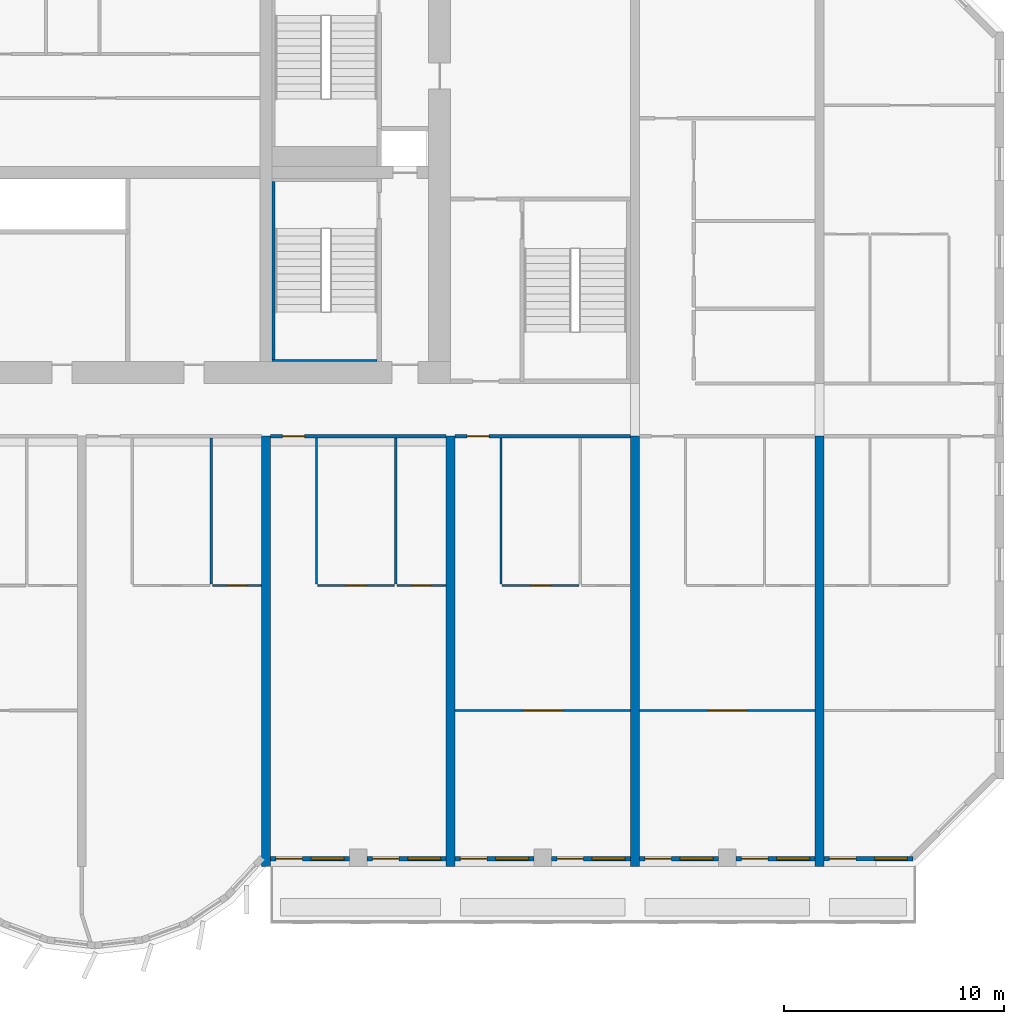
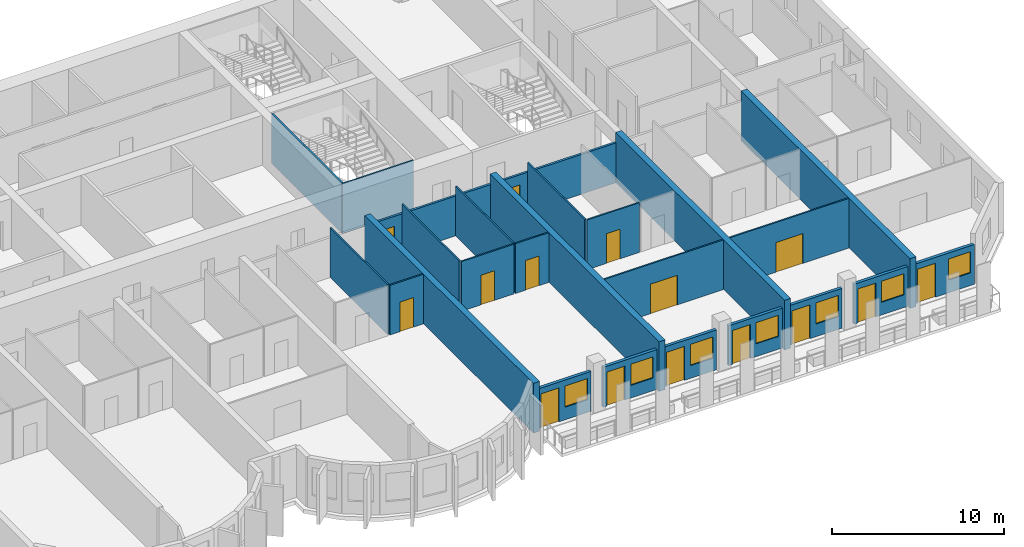
# One storey, part 8 of 15: 25 walls, 15 doors, 7 windows, 22 openings.
"""IFC4 building model written with IfcOpenShell, lengths in metres."""

from ifc_helpers import new_model, si_unit, direction, frame, frame_2d, origin, place, context, subcontext, project, spatial, rectangle, extrude, source, transform, mapped, material, layer, layer_set, type_object, element, fill, save


model = new_model("IFC4")

# Units and contexts
model_context = context("Model", 3, precision=1e-05, world=origin(), true_north=direction((0.0, 1.0)))
body_context = subcontext(model_context, "Body", "Model", "MODEL_VIEW")
ifc_project = project(units=[si_unit("LENGTHUNIT", "METRE"), si_unit("AREAUNIT", "SQUARE_METRE"), si_unit("VOLUMEUNIT", "CUBIC_METRE"), si_unit("PLANEANGLEUNIT", "RADIAN"), si_unit("MASSUNIT", "GRAM", prefix="KILO")], contexts=[model_context])

# Site, building, storey
site_placement = place(None, origin())
site = spatial("IfcSite", under=ifc_project, at=site_placement, CompositionType="ELEMENT")
building_placement = place(site_placement, origin())
building = spatial("IfcBuilding", under=site, at=building_placement, Name="Vanashikhar Sky Hotel", CompositionType="ELEMENT")
storey_placement = place(building_placement, frame((0.0, 0.0, 69.60009765625)))
storey = spatial("IfcBuildingStorey", under=building, at=storey_placement, Name="L16", CompositionType="ELEMENT", Elevation=69.60009765625)

# Walls
ifc_material_1 = material(Name="Concrete M80", Category="concrete")
ifc_layer_1 = layer(ifc_material_1, 0.39990234375)
ifc_layer_set_1 = layer_set([ifc_layer_1], Name="RC shear wall 400 Concrete M80")
wall_type_1 = type_object("IfcWallType", Name="RC shear wall 400 Concrete M80", PredefinedType="SHEAR", material=ifc_layer_set_1)
shared_shape_1 = source(origin(), body_context, "Body", "SweptSolid", [
    extrude(rectangle(XDim=19.60009765625, YDim=0.39990234375, at=frame_2d((9.800048828125, 0.0))), origin(), (0.0, 0.0, 1.0), 3.52001953125),
])
for number, where, z_axis, x_axis, name in (
    (1, (67.199951171875, 0.0, 0.0), (0.0, 0.0, 1.0), (0.0, 1.0, 0.0), "CW-L16-XW09-1"),
    (2, (75.60009765625, 0.0, 0.0), (0.0, 0.0, 1.0), (0.0, 1.0, 0.0), "CW-L16-XW10-1"),
    (3, (84.0, 0.0, 0.0), (0.0, 0.0, 1.0), (0.0, 1.0, 0.0), "CW-L16-XW11-1"),
    (4, (92.39990234375, 0.0, 0.0), (0.0, 0.0, 1.0), (0.0, 1.0, 0.0), "CW-L16-XW12-1"),
):
    element("IfcWall", number, at=place(storey_placement, frame(where, z_axis=z_axis, x_axis=x_axis)), inside=storey, type_object=wall_type_1, Name=name, PredefinedType="SHEAR", context=body_context, shape_type="MappedRepresentation", body=[
        mapped(shared_shape_1, transform((0.0, 0.0, 0.0), scale=1.0)),
    ])

# Wall, openings, window, door
ifc_material_2 = material(Name="Concrete M50", Category="concrete")
ifc_layer_2 = layer(ifc_material_2, 0.199951171875)
ifc_layer_set_2 = layer_set([ifc_layer_2], Name="Front window wall 200")
wall_type_2 = type_object("IfcWallType", Name="Front window wall 200", PredefinedType="SOLIDWALL", material=ifc_layer_set_2)
shared_shape_2 = source(origin(), body_context, "Body", "SweptSolid", [
    extrude(rectangle(XDim=4.054931640625, YDim=0.199951171875, at=frame_2d((2.02734375, 0.0))), origin(), (0.0, 0.0, 1.0), 2.81982421875),
])
wall_1_placement = place(storey_placement, frame((92.60009765625, 0.35009765625, 0.0), z_axis=(0.0, 0.0, 1.0), x_axis=(1.0, 0.0, 0.0)))
wall_1 = element("IfcWall", 5, at=wall_1_placement, inside=storey, type_object=wall_type_2, Name="Front window wall", PredefinedType="SOLIDWALL", context=body_context, shape_type="MappedRepresentation", body=[
    mapped(shared_shape_2, transform((0.0, 0.0, 0.0), scale=1.0)),
])
shared_shape_3 = source(origin(), body_context, "Body", "SweptSolid", [
    extrude(rectangle(XDim=1.199951171875, YDim=2.39990234375, at=frame_2d((0.60009765625, 1.199951171875))), frame((0.0, 0.10986328125, 0.0), z_axis=(0.0, -1.0, 0.0), x_axis=(1.0, 0.0, 0.0)), (0.0, 0.0, 1.0), 0.219970703125),
])
opening_1_placement = place(wall_1_placement, frame((0.25, 0.0, 0.0)))
opening_1 = element("IfcOpeningElement", 6, at=opening_1_placement, cuts=wall_1, Name="Opening BD-14", PredefinedType="OPENING", context=body_context, shape_type="MappedRepresentation", body=[
    mapped(shared_shape_3, transform((0.0, 0.0, 0.0), scale=1.0)),
])
shared_shape_4 = source(origin(), body_context, "Body", "SweptSolid", [
    extrude(rectangle(XDim=1.5, YDim=1.5, at=frame_2d((0.75, 0.75))), frame((0.0, 0.10986328125, 0.0), z_axis=(0.0, -1.0, 0.0), x_axis=(1.0, 0.0, 0.0)), (0.0, 0.0, 1.0), 0.219970703125),
])
opening_2_placement = place(wall_1_placement, frame((2.304931640625, 0.0, 0.89990234375)))
opening_2 = element("IfcOpeningElement", 7, at=opening_2_placement, cuts=wall_1, Name="Opening WN-1", PredefinedType="OPENING", context=body_context, shape_type="MappedRepresentation", body=[
    mapped(shared_shape_4, transform((0.0, 0.0, 0.0), scale=1.0)),
])
ifc_material_3 = material(Name="Glass", Category="glass")
window_type = type_object("IfcWindowType", Name="Window 1500 x 1500", PartitioningType="SINGLE_PANEL", PredefinedType="WINDOW", material=ifc_material_3)
shared_shape_5 = source(origin(), body_context, "Body", "SweptSolid", [
    extrude(rectangle(XDim=1.5, YDim=1.5, at=frame_2d((0.75, 0.75))), frame((0.0, 0.030029296875, 0.0), z_axis=(0.0, -1.0, 0.0), x_axis=(1.0, 0.0, 0.0)), (0.0, 0.0, 1.0), 0.06005859375),
])
window_1_placement = place(opening_2_placement, origin())
window_1 = element("IfcWindow", 8, at=window_1_placement, inside=storey, type_object=window_type, Name="Window WN-1", OverallHeight=1.5, OverallWidth=1.5, PartitioningType="SINGLE_PANEL", PredefinedType="WINDOW", context=body_context, shape_type="MappedRepresentation", body=[
    mapped(shared_shape_5, transform((0.0, 0.0, 0.0), scale=1.0)),
])
fill(opening_2, window_1)
ifc_material_4 = material(Name="Aluminium", Category="aluminium")
door_type_1 = type_object("IfcDoorType", Name="Balcony sliding door 1200 x 2400", OperationType="NOTDEFINED", PredefinedType="DOOR", material=ifc_material_4)
shared_shape_6 = source(origin(), body_context, "Body", "SweptSolid", [
    extrude(rectangle(XDim=1.199951171875, YDim=2.39990234375, at=frame_2d((0.60009765625, 1.199951171875))), frame((0.0, 0.02490234375, 0.0), z_axis=(0.0, -1.0, 0.0), x_axis=(1.0, 0.0, 0.0)), (0.0, 0.0, 1.0), 0.050048828125),
])
door_1_placement = place(opening_1_placement, origin())
door_1 = element("IfcDoor", 9, at=door_1_placement, inside=storey, type_object=door_type_1, Name="Balcony sliding door", OperationType="SLIDING_TO_RIGHT", OverallHeight=2.39990234375, OverallWidth=1.199951171875, PredefinedType="DOOR", context=body_context, shape_type="MappedRepresentation", body=[
    mapped(shared_shape_6, transform((0.0, 0.0, 0.0), scale=1.0)),
])
fill(opening_1, door_1)

shared_shape_7 = source(origin(), body_context, "Body", "SweptSolid", [
    extrude(rectangle(XDim=3.599853515625, YDim=0.199951171875, at=frame_2d((1.7998046875, 0.0))), origin(), (0.0, 0.0, 1.0), 2.81982421875),
])
wall_2_placement = place(storey_placement, frame((71.800048828125, 0.35009765625, 0.0), z_axis=(0.0, 0.0, 1.0), x_axis=(1.0, 0.0, 0.0)))
wall_2 = element("IfcWall", 10, at=wall_2_placement, inside=storey, type_object=wall_type_2, Name="Front window wall", PredefinedType="SOLIDWALL", context=body_context, shape_type="MappedRepresentation", body=[
    mapped(shared_shape_7, transform((0.0, 0.0, 0.0), scale=1.0)),
])
opening_3_placement = place(wall_2_placement, frame((0.25, 0.0, 0.0)))
opening_3 = element("IfcOpeningElement", 11, at=opening_3_placement, cuts=wall_2, Name="Opening BD-09", PredefinedType="OPENING", context=body_context, shape_type="MappedRepresentation", body=[
    mapped(shared_shape_3, transform((0.0, 0.0, 0.0), scale=1.0)),
])
opening_4_placement = place(wall_2_placement, frame((1.85009765625, 0.0, 0.89990234375)))
opening_4 = element("IfcOpeningElement", 12, at=opening_4_placement, cuts=wall_2, Name="Opening WN-1", PredefinedType="OPENING", context=body_context, shape_type="MappedRepresentation", body=[
    mapped(shared_shape_4, transform((0.0, 0.0, 0.0), scale=1.0)),
])
window_2_placement = place(opening_4_placement, origin())
window_2 = element("IfcWindow", 13, at=window_2_placement, inside=storey, type_object=window_type, Name="Window WN-1", OverallHeight=1.5, OverallWidth=1.5, PartitioningType="SINGLE_PANEL", PredefinedType="WINDOW", context=body_context, shape_type="MappedRepresentation", body=[
    mapped(shared_shape_5, transform((0.0, 0.0, 0.0), scale=1.0)),
])
fill(opening_4, window_2)
door_2_placement = place(opening_3_placement, origin())
door_2 = element("IfcDoor", 14, at=door_2_placement, inside=storey, type_object=door_type_1, Name="Balcony sliding door", OperationType="SLIDING_TO_LEFT", OverallHeight=2.39990234375, OverallWidth=1.199951171875, PredefinedType="DOOR", context=body_context, shape_type="MappedRepresentation", body=[
    mapped(shared_shape_6, transform((0.0, 0.0, 0.0), scale=1.0)),
])
fill(opening_3, door_2)

wall_3_placement = place(storey_placement, frame((75.800048828125, 0.35009765625, 0.0), z_axis=(0.0, 0.0, 1.0), x_axis=(1.0, 0.0, 0.0)))
wall_3 = element("IfcWall", 15, at=wall_3_placement, inside=storey, type_object=wall_type_2, Name="Front window wall", PredefinedType="SOLIDWALL", context=body_context, shape_type="MappedRepresentation", body=[
    mapped(shared_shape_7, transform((0.0, 0.0, 0.0), scale=1.0)),
])
opening_5_placement = place(wall_3_placement, frame((0.25, 0.0, 0.0)))
opening_5 = element("IfcOpeningElement", 16, at=opening_5_placement, cuts=wall_3, Name="Opening BD-10", PredefinedType="OPENING", context=body_context, shape_type="MappedRepresentation", body=[
    mapped(shared_shape_3, transform((0.0, 0.0, 0.0), scale=1.0)),
])
opening_6_placement = place(wall_3_placement, frame((1.85009765625, 0.0, 0.89990234375)))
opening_6 = element("IfcOpeningElement", 17, at=opening_6_placement, cuts=wall_3, Name="Opening WN-1", PredefinedType="OPENING", context=body_context, shape_type="MappedRepresentation", body=[
    mapped(shared_shape_4, transform((0.0, 0.0, 0.0), scale=1.0)),
])
window_3_placement = place(opening_6_placement, origin())
window_3 = element("IfcWindow", 18, at=window_3_placement, inside=storey, type_object=window_type, Name="Window WN-1", OverallHeight=1.5, OverallWidth=1.5, PartitioningType="SINGLE_PANEL", PredefinedType="WINDOW", context=body_context, shape_type="MappedRepresentation", body=[
    mapped(shared_shape_5, transform((0.0, 0.0, 0.0), scale=1.0)),
])
fill(opening_6, window_3)
door_3_placement = place(opening_5_placement, origin())
door_3 = element("IfcDoor", 19, at=door_3_placement, inside=storey, type_object=door_type_1, Name="Balcony sliding door", OperationType="SLIDING_TO_RIGHT", OverallHeight=2.39990234375, OverallWidth=1.199951171875, PredefinedType="DOOR", context=body_context, shape_type="MappedRepresentation", body=[
    mapped(shared_shape_6, transform((0.0, 0.0, 0.0), scale=1.0)),
])
fill(opening_5, door_3)

wall_4_placement = place(storey_placement, frame((88.60009765625, 0.35009765625, 0.0), z_axis=(0.0, 0.0, 1.0), x_axis=(1.0, 0.0, 0.0)))
wall_4 = element("IfcWall", 20, at=wall_4_placement, inside=storey, type_object=wall_type_2, Name="Front window wall", PredefinedType="SOLIDWALL", context=body_context, shape_type="MappedRepresentation", body=[
    mapped(shared_shape_7, transform((0.0, 0.0, 0.0), scale=1.0)),
])
opening_7_placement = place(wall_4_placement, frame((0.25, 0.0, 0.0)))
opening_7 = element("IfcOpeningElement", 21, at=opening_7_placement, cuts=wall_4, Name="Opening BD-13", PredefinedType="OPENING", context=body_context, shape_type="MappedRepresentation", body=[
    mapped(shared_shape_3, transform((0.0, 0.0, 0.0), scale=1.0)),
])
opening_8_placement = place(wall_4_placement, frame((1.85009765625, 0.0, 0.89990234375)))
opening_8 = element("IfcOpeningElement", 22, at=opening_8_placement, cuts=wall_4, Name="Opening WN-1", PredefinedType="OPENING", context=body_context, shape_type="MappedRepresentation", body=[
    mapped(shared_shape_4, transform((0.0, 0.0, 0.0), scale=1.0)),
])
window_4_placement = place(opening_8_placement, origin())
window_4 = element("IfcWindow", 23, at=window_4_placement, inside=storey, type_object=window_type, Name="Window WN-1", OverallHeight=1.5, OverallWidth=1.5, PartitioningType="SINGLE_PANEL", PredefinedType="WINDOW", context=body_context, shape_type="MappedRepresentation", body=[
    mapped(shared_shape_5, transform((0.0, 0.0, 0.0), scale=1.0)),
])
fill(opening_8, window_4)
door_4_placement = place(opening_7_placement, origin())
door_4 = element("IfcDoor", 24, at=door_4_placement, inside=storey, type_object=door_type_1, Name="Balcony sliding door", OperationType="SLIDING_TO_LEFT", OverallHeight=2.39990234375, OverallWidth=1.199951171875, PredefinedType="DOOR", context=body_context, shape_type="MappedRepresentation", body=[
    mapped(shared_shape_6, transform((0.0, 0.0, 0.0), scale=1.0)),
])
fill(opening_7, door_4)

shared_shape_8 = source(origin(), body_context, "Body", "SweptSolid", [
    extrude(rectangle(XDim=3.60009765625, YDim=0.199951171875, at=frame_2d((1.800048828125, 0.0))), origin(), (0.0, 0.0, 1.0), 2.81982421875),
])
wall_5_placement = place(storey_placement, frame((67.39990234375, 0.35009765625, 0.0), z_axis=(0.0, 0.0, 1.0), x_axis=(1.0, 0.0, 0.0)))
wall_5 = element("IfcWall", 25, at=wall_5_placement, inside=storey, type_object=wall_type_2, Name="Front window wall", PredefinedType="SOLIDWALL", context=body_context, shape_type="MappedRepresentation", body=[
    mapped(shared_shape_8, transform((0.0, 0.0, 0.0), scale=1.0)),
])
opening_9_placement = place(wall_5_placement, frame((0.25, 0.0, 0.0)))
opening_9 = element("IfcOpeningElement", 26, at=opening_9_placement, cuts=wall_5, Name="Opening BD-08", PredefinedType="OPENING", context=body_context, shape_type="MappedRepresentation", body=[
    mapped(shared_shape_3, transform((0.0, 0.0, 0.0), scale=1.0)),
])
opening_10_placement = place(wall_5_placement, frame((1.85009765625, 0.0, 0.89990234375)))
opening_10 = element("IfcOpeningElement", 27, at=opening_10_placement, cuts=wall_5, Name="Opening WN-1", PredefinedType="OPENING", context=body_context, shape_type="MappedRepresentation", body=[
    mapped(shared_shape_4, transform((0.0, 0.0, 0.0), scale=1.0)),
])
window_5_placement = place(opening_10_placement, origin())
window_5 = element("IfcWindow", 28, at=window_5_placement, inside=storey, type_object=window_type, Name="Window WN-1", OverallHeight=1.5, OverallWidth=1.5, PartitioningType="SINGLE_PANEL", PredefinedType="WINDOW", context=body_context, shape_type="MappedRepresentation", body=[
    mapped(shared_shape_5, transform((0.0, 0.0, 0.0), scale=1.0)),
])
fill(opening_10, window_5)
door_5_placement = place(opening_9_placement, origin())
door_5 = element("IfcDoor", 29, at=door_5_placement, inside=storey, type_object=door_type_1, Name="Balcony sliding door", OperationType="SLIDING_TO_RIGHT", OverallHeight=2.39990234375, OverallWidth=1.199951171875, PredefinedType="DOOR", context=body_context, shape_type="MappedRepresentation", body=[
    mapped(shared_shape_6, transform((0.0, 0.0, 0.0), scale=1.0)),
])
fill(opening_9, door_5)

wall_6_placement = place(storey_placement, frame((80.199951171875, 0.35009765625, 0.0), z_axis=(0.0, 0.0, 1.0), x_axis=(1.0, 0.0, 0.0)))
wall_6 = element("IfcWall", 30, at=wall_6_placement, inside=storey, type_object=wall_type_2, Name="Front window wall", PredefinedType="SOLIDWALL", context=body_context, shape_type="MappedRepresentation", body=[
    mapped(shared_shape_8, transform((0.0, 0.0, 0.0), scale=1.0)),
])
opening_11_placement = place(wall_6_placement, frame((0.25, 0.0, 0.0)))
opening_11 = element("IfcOpeningElement", 31, at=opening_11_placement, cuts=wall_6, Name="Opening BD-11", PredefinedType="OPENING", context=body_context, shape_type="MappedRepresentation", body=[
    mapped(shared_shape_3, transform((0.0, 0.0, 0.0), scale=1.0)),
])
opening_12_placement = place(wall_6_placement, frame((1.85009765625, 0.0, 0.89990234375)))
opening_12 = element("IfcOpeningElement", 32, at=opening_12_placement, cuts=wall_6, Name="Opening WN-1", PredefinedType="OPENING", context=body_context, shape_type="MappedRepresentation", body=[
    mapped(shared_shape_4, transform((0.0, 0.0, 0.0), scale=1.0)),
])
window_6_placement = place(opening_12_placement, origin())
window_6 = element("IfcWindow", 33, at=window_6_placement, inside=storey, type_object=window_type, Name="Window WN-1", OverallHeight=1.5, OverallWidth=1.5, PartitioningType="SINGLE_PANEL", PredefinedType="WINDOW", context=body_context, shape_type="MappedRepresentation", body=[
    mapped(shared_shape_5, transform((0.0, 0.0, 0.0), scale=1.0)),
])
fill(opening_12, window_6)
door_6_placement = place(opening_11_placement, origin())
door_6 = element("IfcDoor", 34, at=door_6_placement, inside=storey, type_object=door_type_1, Name="Balcony sliding door", OperationType="SLIDING_TO_LEFT", OverallHeight=2.39990234375, OverallWidth=1.199951171875, PredefinedType="DOOR", context=body_context, shape_type="MappedRepresentation", body=[
    mapped(shared_shape_6, transform((0.0, 0.0, 0.0), scale=1.0)),
])
fill(opening_11, door_6)

wall_7_placement = place(storey_placement, frame((84.199951171875, 0.35009765625, 0.0), z_axis=(0.0, 0.0, 1.0), x_axis=(1.0, 0.0, 0.0)))
wall_7 = element("IfcWall", 35, at=wall_7_placement, inside=storey, type_object=wall_type_2, Name="Front window wall", PredefinedType="SOLIDWALL", context=body_context, shape_type="MappedRepresentation", body=[
    mapped(shared_shape_8, transform((0.0, 0.0, 0.0), scale=1.0)),
])
opening_13_placement = place(wall_7_placement, frame((0.25, 0.0, 0.0)))
opening_13 = element("IfcOpeningElement", 36, at=opening_13_placement, cuts=wall_7, Name="Opening BD-12", PredefinedType="OPENING", context=body_context, shape_type="MappedRepresentation", body=[
    mapped(shared_shape_3, transform((0.0, 0.0, 0.0), scale=1.0)),
])
opening_14_placement = place(wall_7_placement, frame((1.85009765625, 0.0, 0.89990234375)))
opening_14 = element("IfcOpeningElement", 37, at=opening_14_placement, cuts=wall_7, Name="Opening WN-1", PredefinedType="OPENING", context=body_context, shape_type="MappedRepresentation", body=[
    mapped(shared_shape_4, transform((0.0, 0.0, 0.0), scale=1.0)),
])
window_7_placement = place(opening_14_placement, origin())
window_7 = element("IfcWindow", 38, at=window_7_placement, inside=storey, type_object=window_type, Name="Window WN-1", OverallHeight=1.5, OverallWidth=1.5, PartitioningType="SINGLE_PANEL", PredefinedType="WINDOW", context=body_context, shape_type="MappedRepresentation", body=[
    mapped(shared_shape_5, transform((0.0, 0.0, 0.0), scale=1.0)),
])
fill(opening_14, window_7)
door_7_placement = place(opening_13_placement, origin())
door_7 = element("IfcDoor", 39, at=door_7_placement, inside=storey, type_object=door_type_1, Name="Balcony sliding door", OperationType="SLIDING_TO_RIGHT", OverallHeight=2.39990234375, OverallWidth=1.199951171875, PredefinedType="DOOR", context=body_context, shape_type="MappedRepresentation", body=[
    mapped(shared_shape_6, transform((0.0, 0.0, 0.0), scale=1.0)),
])
fill(opening_13, door_7)

# Walls
ifc_layer_3 = layer(ifc_material_2, 0.10009765625)
ifc_layer_set_3 = layer_set([ifc_layer_3], Name="Stair infill wall 100")
wall_type_3 = type_object("IfcWallType", Name="Stair infill wall 100", PredefinedType="SOLIDWALL", material=ifc_layer_set_3)
shared_shape_9 = source(origin(), body_context, "Body", "SweptSolid", [
    extrude(rectangle(XDim=4.77490234375, YDim=0.10009765625, at=frame_2d((2.387451171875, 0.0))), origin(), (0.0, 0.0, 1.0), 3.52001953125),
])
wall_8_placement = place(storey_placement, frame((67.47509765625, 23.050048828125, 0.0), z_axis=(0.0, 0.0, 1.0), x_axis=(1.0, 0.0, 0.0)))
element("IfcWall", 40, at=wall_8_placement, inside=storey, type_object=wall_type_3, Name="Stair infill wall 100", PredefinedType="SOLIDWALL", context=body_context, shape_type="MappedRepresentation", body=[
    mapped(shared_shape_9, transform((0.0, 0.0, 0.0), scale=1.0)),
])
ifc_layer_4 = layer(ifc_material_2, 0.125)
ifc_layer_set_4 = layer_set([ifc_layer_4], Name="Stair infill wall 125")
wall_type_4 = type_object("IfcWallType", Name="Stair infill wall 125", PredefinedType="SOLIDWALL", material=ifc_layer_set_4)
shared_shape_10 = source(origin(), body_context, "Body", "SweptSolid", [
    extrude(rectangle(XDim=8.099853515625, YDim=0.125, at=frame_2d((4.0498046875, 0.0))), origin(), (0.0, 0.0, 1.0), 3.52001953125),
])
wall_9_placement = place(storey_placement, frame((67.537109375, 23.10009765625, 0.0), z_axis=(0.0, 0.0, 1.0), x_axis=(0.0, 1.0, 0.0)))
element("IfcWall", 41, at=wall_9_placement, inside=storey, type_object=wall_type_4, Name="Stair infill wall 125", PredefinedType="SOLIDWALL", context=body_context, shape_type="MappedRepresentation", body=[
    mapped(shared_shape_10, transform((0.0, 0.0, 0.0), scale=1.0)),
])

# Wall, opening, door
ifc_material_5 = material(Name="Gypsum plasterboard partition")
ifc_layer_5 = layer(ifc_material_5, 0.10009765625)
ifc_layer_set_5 = layer_set([ifc_layer_5], Name="Wet room partition 100")
wall_type_5 = type_object("IfcWallType", Name="Wet room partition 100", PredefinedType="PARTITIONING", material=ifc_layer_set_5)
shared_shape_11 = source(origin(), body_context, "Body", "SweptSolid", [
    extrude(rectangle(XDim=3.5, YDim=0.10009765625, at=frame_2d((1.75, 0.0))), origin(), (0.0, 0.0, 1.0), 3.52001953125),
])
wall_10_placement = place(storey_placement, frame((69.550048828125, 12.800048828125, 0.0), z_axis=(0.0, 0.0, 1.0), x_axis=(1.0, 0.0, 0.0)))
wall_10 = element("IfcWall", 42, at=wall_10_placement, inside=storey, type_object=wall_type_5, Name="W-L16-PW047", PredefinedType="PARTITIONING", context=body_context, shape_type="MappedRepresentation", body=[
    mapped(shared_shape_11, transform((0.0, 0.0, 0.0), scale=1.0)),
])
shared_shape_12 = source(origin(), body_context, "Body", "SweptSolid", [
    extrude(rectangle(XDim=0.89990234375, YDim=2.10009765625, at=frame_2d((0.449951171875, 1.050048828125))), frame((0.0, 0.06005859375, 0.0), z_axis=(0.0, -1.0, 0.0), x_axis=(1.0, 0.0, 0.0)), (0.0, 0.0, 1.0), 0.1201171875),
])
opening_15_placement = place(wall_10_placement, frame((1.300048828125, 0.0, 0.0)))
opening_15 = element("IfcOpeningElement", 43, at=opening_15_placement, cuts=wall_10, Name="Opening D-02", PredefinedType="OPENING", context=body_context, shape_type="MappedRepresentation", body=[
    mapped(shared_shape_12, transform((0.0, 0.0, 0.0), scale=1.0)),
])
ifc_material_6 = material(Name="Timber door", Category="wood")
door_type_2 = type_object("IfcDoorType", Name="Internal door 900", OperationType="NOTDEFINED", PredefinedType="DOOR", material=ifc_material_6)
shared_shape_13 = source(origin(), body_context, "Body", "SweptSolid", [
    extrude(rectangle(XDim=0.89990234375, YDim=2.10009765625, at=frame_2d((0.449951171875, 1.050048828125))), frame((0.0, 0.02490234375, 0.0), z_axis=(0.0, -1.0, 0.0), x_axis=(1.0, 0.0, 0.0)), (0.0, 0.0, 1.0), 0.050048828125),
])
door_8_placement = place(opening_15_placement, origin())
door_8 = element("IfcDoor", 44, at=door_8_placement, inside=storey, type_object=door_type_2, Name="D-L16-028", OperationType="SINGLE_SWING_LEFT", OverallHeight=2.10009765625, OverallWidth=0.89990234375, PredefinedType="DOOR", context=body_context, shape_type="MappedRepresentation", body=[
    mapped(shared_shape_13, transform((0.0, 0.0, 0.0), scale=1.0)),
])
fill(opening_15, door_8)

wall_11_placement = place(storey_placement, frame((77.949951171875, 12.800048828125, 0.0), z_axis=(0.0, 0.0, 1.0), x_axis=(1.0, 0.0, 0.0)))
wall_11 = element("IfcWall", 45, at=wall_11_placement, inside=storey, type_object=wall_type_5, Name="W-L16-PW052", PredefinedType="PARTITIONING", context=body_context, shape_type="MappedRepresentation", body=[
    mapped(shared_shape_11, transform((0.0, 0.0, 0.0), scale=1.0)),
])
opening_16_placement = place(wall_11_placement, frame((1.300048828125, 0.0, 0.0)))
opening_16 = element("IfcOpeningElement", 46, at=opening_16_placement, cuts=wall_11, Name="Opening D-02", PredefinedType="OPENING", context=body_context, shape_type="MappedRepresentation", body=[
    mapped(shared_shape_12, transform((0.0, 0.0, 0.0), scale=1.0)),
])
door_9_placement = place(opening_16_placement, origin())
door_9 = element("IfcDoor", 47, at=door_9_placement, inside=storey, type_object=door_type_2, Name="D-L16-031", OperationType="SINGLE_SWING_LEFT", OverallHeight=2.10009765625, OverallWidth=0.89990234375, PredefinedType="DOOR", context=body_context, shape_type="MappedRepresentation", body=[
    mapped(shared_shape_13, transform((0.0, 0.0, 0.0), scale=1.0)),
])
fill(opening_16, door_9)

shared_shape_14 = source(origin(), body_context, "Body", "SweptSolid", [
    extrude(rectangle(XDim=8.0, YDim=0.10009765625, at=frame_2d((4.0, 0.0))), origin(), (0.0, 0.0, 1.0), 3.52001953125),
])
wall_12_placement = place(storey_placement, frame((75.800048828125, 7.10791015625, 0.0), z_axis=(0.0, 0.0, 1.0), x_axis=(1.0, 0.0, 0.0)))
wall_12 = element("IfcWall", 48, at=wall_12_placement, inside=storey, type_object=wall_type_5, Name="W-L16-PW054", PredefinedType="PARTITIONING", context=body_context, shape_type="MappedRepresentation", body=[
    mapped(shared_shape_14, transform((0.0, 0.0, 0.0), scale=1.0)),
])
shared_shape_15 = source(origin(), body_context, "Body", "SweptSolid", [
    extrude(rectangle(XDim=1.800048828125, YDim=2.10009765625, at=frame_2d((0.89990234375, 1.050048828125))), frame((0.0, 0.06005859375, 0.0), z_axis=(0.0, -1.0, 0.0), x_axis=(1.0, 0.0, 0.0)), (0.0, 0.0, 1.0), 0.1201171875),
])
opening_17_placement = place(wall_12_placement, frame((3.10009765625, 0.0, 0.0)))
opening_17 = element("IfcOpeningElement", 49, at=opening_17_placement, cuts=wall_12, Name="Opening D-08", PredefinedType="OPENING", context=body_context, shape_type="MappedRepresentation", body=[
    mapped(shared_shape_15, transform((0.0, 0.0, 0.0), scale=1.0)),
])
door_type_3 = type_object("IfcDoorType", Name="Double leaf door 1800", OperationType="NOTDEFINED", PredefinedType="DOOR", material=ifc_material_6)
shared_shape_16 = source(origin(), body_context, "Body", "SweptSolid", [
    extrude(rectangle(XDim=1.800048828125, YDim=2.10009765625, at=frame_2d((0.89990234375, 1.050048828125))), frame((0.0, 0.02490234375, 0.0), z_axis=(0.0, -1.0, 0.0), x_axis=(1.0, 0.0, 0.0)), (0.0, 0.0, 1.0), 0.050048828125),
])
door_10_placement = place(opening_17_placement, origin())
door_10 = element("IfcDoor", 50, at=door_10_placement, inside=storey, type_object=door_type_3, Name="D-L16-033", OperationType="DOUBLE_DOOR_SINGLE_SWING", OverallHeight=2.10009765625, OverallWidth=1.800048828125, PredefinedType="DOOR", context=body_context, shape_type="MappedRepresentation", body=[
    mapped(shared_shape_16, transform((0.0, 0.0, 0.0), scale=1.0)),
])
fill(opening_17, door_10)

wall_13_placement = place(storey_placement, frame((84.199951171875, 7.10791015625, 0.0), z_axis=(0.0, 0.0, 1.0), x_axis=(1.0, 0.0, 0.0)))
wall_13 = element("IfcWall", 51, at=wall_13_placement, inside=storey, type_object=wall_type_5, Name="W-L16-PW060", PredefinedType="PARTITIONING", context=body_context, shape_type="MappedRepresentation", body=[
    mapped(shared_shape_14, transform((0.0, 0.0, 0.0), scale=1.0)),
])
opening_18_placement = place(wall_13_placement, frame((3.10009765625, 0.0, 0.0)))
opening_18 = element("IfcOpeningElement", 52, at=opening_18_placement, cuts=wall_13, Name="Opening D-08", PredefinedType="OPENING", context=body_context, shape_type="MappedRepresentation", body=[
    mapped(shared_shape_15, transform((0.0, 0.0, 0.0), scale=1.0)),
])
door_11_placement = place(opening_18_placement, origin())
door_11 = element("IfcDoor", 53, at=door_11_placement, inside=storey, type_object=door_type_3, Name="D-L16-037", OperationType="DOUBLE_DOOR_SINGLE_SWING", OverallHeight=2.10009765625, OverallWidth=1.800048828125, PredefinedType="DOOR", context=body_context, shape_type="MappedRepresentation", body=[
    mapped(shared_shape_16, transform((0.0, 0.0, 0.0), scale=1.0)),
])
fill(opening_18, door_11)

ifc_layer_6 = layer(ifc_material_5, 0.14990234375)
ifc_layer_set_6 = layer_set([ifc_layer_6], Name="Corridor and demising partition 150")
wall_type_6 = type_object("IfcWallType", Name="Corridor and demising partition 150", PredefinedType="PARTITIONING", material=ifc_layer_set_6)
shared_shape_17 = source(origin(), body_context, "Body", "SweptSolid", [
    extrude(rectangle(XDim=8.0, YDim=0.14990234375, at=frame_2d((4.0, 0.0))), origin(), (0.0, 0.0, 1.0), 2.81982421875),
])
wall_14_placement = place(storey_placement, frame((67.39990234375, 19.60009765625, 0.0), z_axis=(0.0, 0.0, 1.0), x_axis=(1.0, 0.0, 0.0)))
wall_14 = element("IfcWall", 54, at=wall_14_placement, inside=storey, type_object=wall_type_6, Name="W-L16-PW049", PredefinedType="PARTITIONING", context=body_context, shape_type="MappedRepresentation", body=[
    mapped(shared_shape_17, transform((0.0, 0.0, 0.0), scale=1.0)),
])
shared_shape_18 = source(origin(), body_context, "Body", "SweptSolid", [
    extrude(rectangle(XDim=1.0, YDim=2.10009765625, at=frame_2d((0.5, 1.050048828125))), frame((0.0, 0.0849609375, 0.0), z_axis=(0.0, -1.0, 0.0), x_axis=(1.0, 0.0, 0.0)), (0.0, 0.0, 1.0), 0.169921875),
])
opening_19_placement = place(wall_14_placement, frame((0.550048828125, 0.0, 0.0)))
opening_19 = element("IfcOpeningElement", 55, at=opening_19_placement, cuts=wall_14, Name="Opening D-01", PredefinedType="OPENING", context=body_context, shape_type="MappedRepresentation", body=[
    mapped(shared_shape_18, transform((0.0, 0.0, 0.0), scale=1.0)),
])
ifc_material_7 = material(Name="Timber fire door", Category="wood")
door_type_4 = type_object("IfcDoorType", Name="Guest entry door 1000 FD30S", OperationType="NOTDEFINED", PredefinedType="DOOR", material=ifc_material_7)
shared_shape_19 = source(origin(), body_context, "Body", "SweptSolid", [
    extrude(rectangle(XDim=1.0, YDim=2.10009765625, at=frame_2d((0.5, 1.050048828125))), frame((0.0, 0.02490234375, 0.0), z_axis=(0.0, -1.0, 0.0), x_axis=(1.0, 0.0, 0.0)), (0.0, 0.0, 1.0), 0.050048828125),
])
door_12_placement = place(opening_19_placement, origin())
door_12 = element("IfcDoor", 56, at=door_12_placement, inside=storey, type_object=door_type_4, Name="D-L16-030", OperationType="SINGLE_SWING_LEFT", OverallHeight=2.10009765625, OverallWidth=1.0, PredefinedType="DOOR", context=body_context, shape_type="MappedRepresentation", body=[
    mapped(shared_shape_19, transform((0.0, 0.0, 0.0), scale=1.0)),
])
fill(opening_19, door_12)

wall_15_placement = place(storey_placement, frame((75.800048828125, 19.60009765625, 0.0), z_axis=(0.0, 0.0, 1.0), x_axis=(1.0, 0.0, 0.0)))
wall_15 = element("IfcWall", 57, at=wall_15_placement, inside=storey, type_object=wall_type_6, Name="W-L16-PW055", PredefinedType="PARTITIONING", context=body_context, shape_type="MappedRepresentation", body=[
    mapped(shared_shape_17, transform((0.0, 0.0, 0.0), scale=1.0)),
])
opening_20_placement = place(wall_15_placement, frame((0.550048828125, 0.0, 0.0)))
opening_20 = element("IfcOpeningElement", 58, at=opening_20_placement, cuts=wall_15, Name="Opening D-01", PredefinedType="OPENING", context=body_context, shape_type="MappedRepresentation", body=[
    mapped(shared_shape_18, transform((0.0, 0.0, 0.0), scale=1.0)),
])
door_13_placement = place(opening_20_placement, origin())
door_13 = element("IfcDoor", 59, at=door_13_placement, inside=storey, type_object=door_type_4, Name="D-L16-034", OperationType="SINGLE_SWING_LEFT", OverallHeight=2.10009765625, OverallWidth=1.0, PredefinedType="DOOR", context=body_context, shape_type="MappedRepresentation", body=[
    mapped(shared_shape_19, transform((0.0, 0.0, 0.0), scale=1.0)),
])
fill(opening_20, door_13)

# Walls
shared_shape_20 = source(origin(), body_context, "Body", "SweptSolid", [
    extrude(rectangle(XDim=6.64990234375, YDim=0.10009765625, at=frame_2d((3.324951171875, 0.0))), origin(), (0.0, 0.0, 1.0), 3.52001953125),
])
for number, where, z_axis, x_axis, name in (
    (60, (64.699951171875, 12.875, 0.0), (0.0, 0.0, 1.0), (0.0, 1.0, 0.0), "W-L16-PW041"),
    (61, (69.5, 12.875, 0.0), (0.0, 0.0, 1.0), (0.0, 1.0, 0.0), "W-L16-PW045"),
    (62, (73.10009765625, 12.875, 0.0), (0.0, 0.0, 1.0), (0.0, 1.0, 0.0), "W-L16-PW046"),
    (63, (77.89990234375, 12.875, 0.0), (0.0, 0.0, 1.0), (0.0, 1.0, 0.0), "W-L16-PW050"),
):
    element("IfcWall", number, at=place(storey_placement, frame(where, z_axis=z_axis, x_axis=x_axis)), inside=storey, type_object=wall_type_5, Name=name, PredefinedType="PARTITIONING", context=body_context, shape_type="MappedRepresentation", body=[
        mapped(shared_shape_20, transform((0.0, 0.0, 0.0), scale=1.0)),
    ])

# Wall, opening, door
shared_shape_21 = source(origin(), body_context, "Body", "SweptSolid", [
    extrude(rectangle(XDim=2.25, YDim=0.10009765625, at=frame_2d((1.125, 0.0))), origin(), (0.0, 0.0, 1.0), 3.52001953125),
])
wall_16_placement = place(storey_placement, frame((64.75, 12.800048828125, 0.0), z_axis=(0.0, 0.0, 1.0), x_axis=(1.0, 0.0, 0.0)))
wall_16 = element("IfcWall", 64, at=wall_16_placement, inside=storey, type_object=wall_type_5, Name="W-L16-PW043", PredefinedType="PARTITIONING", context=body_context, shape_type="MappedRepresentation", body=[
    mapped(shared_shape_21, transform((0.0, 0.0, 0.0), scale=1.0)),
])
opening_21_placement = place(wall_16_placement, frame((0.675048828125, 0.0, 0.0)))
opening_21 = element("IfcOpeningElement", 65, at=opening_21_placement, cuts=wall_16, Name="Opening D-02", PredefinedType="OPENING", context=body_context, shape_type="MappedRepresentation", body=[
    mapped(shared_shape_12, transform((0.0, 0.0, 0.0), scale=1.0)),
])
door_14_placement = place(opening_21_placement, origin())
door_14 = element("IfcDoor", 66, at=door_14_placement, inside=storey, type_object=door_type_2, Name="D-L16-026", OperationType="SINGLE_SWING_LEFT", OverallHeight=2.10009765625, OverallWidth=0.89990234375, PredefinedType="DOOR", context=body_context, shape_type="MappedRepresentation", body=[
    mapped(shared_shape_13, transform((0.0, 0.0, 0.0), scale=1.0)),
])
fill(opening_21, door_14)

wall_17_placement = place(storey_placement, frame((73.14990234375, 12.800048828125, 0.0), z_axis=(0.0, 0.0, 1.0), x_axis=(1.0, 0.0, 0.0)))
wall_17 = element("IfcWall", 67, at=wall_17_placement, inside=storey, type_object=wall_type_5, Name="W-L16-PW048", PredefinedType="PARTITIONING", context=body_context, shape_type="MappedRepresentation", body=[
    mapped(shared_shape_21, transform((0.0, 0.0, 0.0), scale=1.0)),
])
opening_22_placement = place(wall_17_placement, frame((0.675048828125, 0.0, 0.0)))
opening_22 = element("IfcOpeningElement", 68, at=opening_22_placement, cuts=wall_17, Name="Opening D-02", PredefinedType="OPENING", context=body_context, shape_type="MappedRepresentation", body=[
    mapped(shared_shape_12, transform((0.0, 0.0, 0.0), scale=1.0)),
])
door_15_placement = place(opening_22_placement, origin())
door_15 = element("IfcDoor", 69, at=door_15_placement, inside=storey, type_object=door_type_2, Name="D-L16-029", OperationType="SINGLE_SWING_LEFT", OverallHeight=2.10009765625, OverallWidth=0.89990234375, PredefinedType="DOOR", context=body_context, shape_type="MappedRepresentation", body=[
    mapped(shared_shape_13, transform((0.0, 0.0, 0.0), scale=1.0)),
])
fill(opening_22, door_15)

save(model, "model.ifc")
